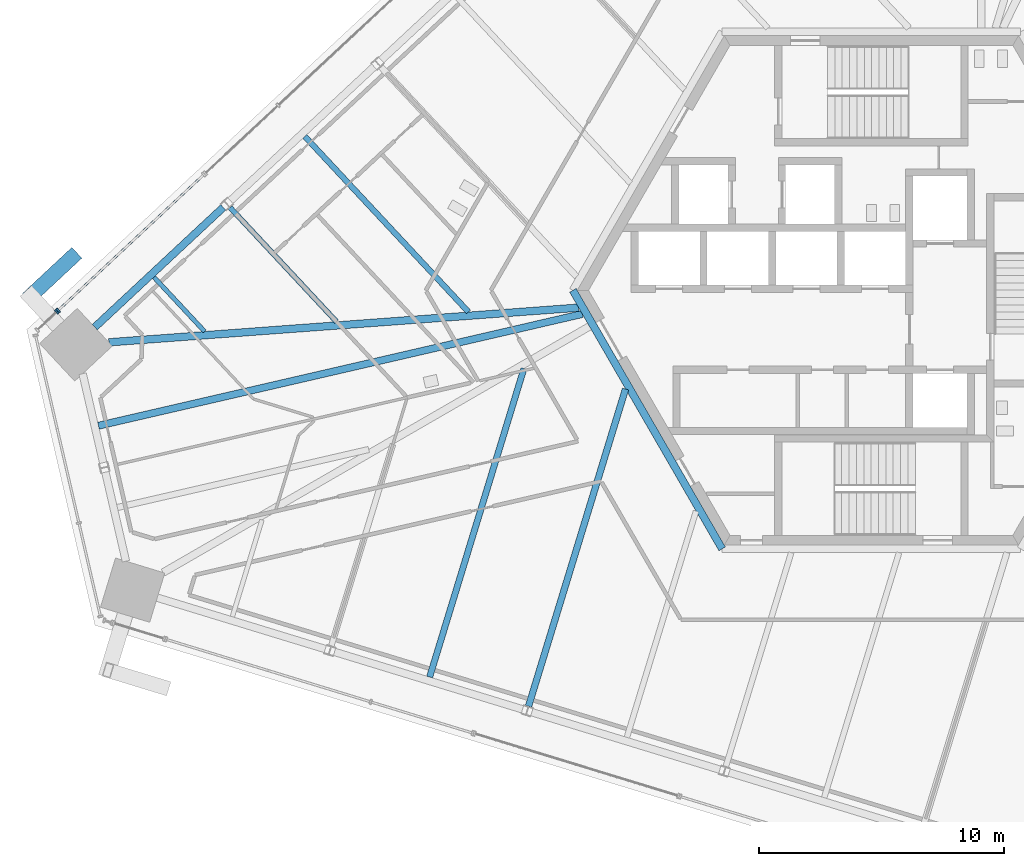
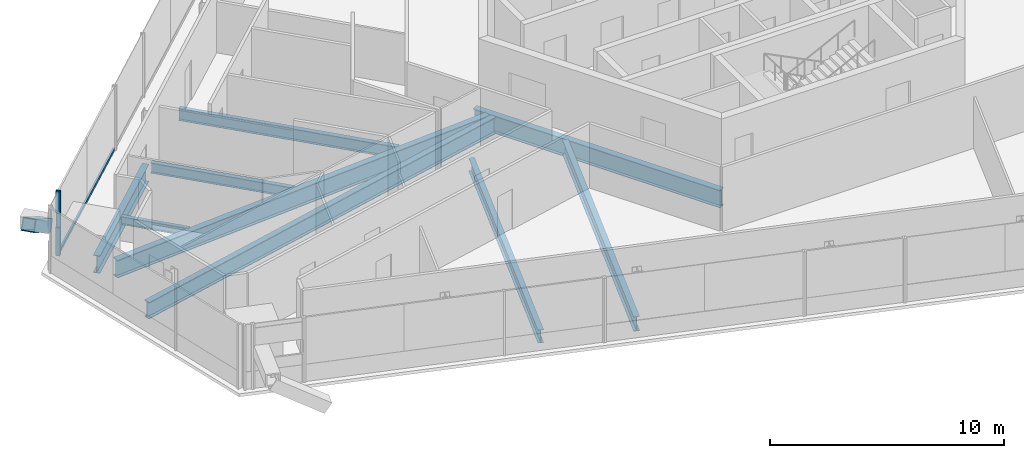
# One storey, part 5 of 25: 9 beams, 5 members, 3 elements without a shape of their own.
"""IFC4 building model written with IfcOpenShell, lengths in metres."""

from ifc_helpers import new_model, si_unit, direction, frame, origin, origin_2d, place, context, subcontext, project, spatial, rectangle, hollow_rectangle, i_section, extrude, source, transform, mapped, material, material_profile, profile_set, type_object, element, aggregate, save


model = new_model("IFC4")

# Units and contexts
model_context = context("Model", 3, precision=1e-05, world=origin(), true_north=direction((0.0, 1.0)))
body_context = subcontext(model_context, "Body", "Model", "MODEL_VIEW")
ifc_project = project(units=[si_unit("LENGTHUNIT", "METRE"), si_unit("AREAUNIT", "SQUARE_METRE"), si_unit("VOLUMEUNIT", "CUBIC_METRE"), si_unit("PLANEANGLEUNIT", "RADIAN"), si_unit("MASSUNIT", "GRAM", prefix="KILO")], contexts=[model_context])

# Site, building, storey
site_placement = place(None, origin())
site = spatial("IfcSite", under=ifc_project, at=site_placement, CompositionType="ELEMENT")
building_placement = place(site_placement, origin())
building = spatial("IfcBuilding", under=site, at=building_placement, Name="Triune Harvest Tower", CompositionType="ELEMENT")
storey_placement = place(building_placement, frame((0.0, 0.0, 130.699951171875)))
storey = spatial("IfcBuildingStorey", under=building, at=storey_placement, Name="L33", CompositionType="ELEMENT", Elevation=130.699951171875)

# Curtain wall, member
ifc_material_1 = material(Name="Aluminium bronze anodised", Category="aluminium")
curtain_wall_type_1 = type_object("IfcCurtainWallType", Name="CW-10 Balcony window wall with insulated spandrel infill", PredefinedType="NOTDEFINED", material=ifc_material_1)
curtain_wall_1_placement = place(storey_placement, origin())
curtain_wall_1 = element("IfcCurtainWall", 1, at=curtain_wall_1_placement, inside=storey, type_object=curtain_wall_type_1, Name="CW-10 B3-F3 L33 run 1002")
ifc_material_2 = material(Name="Aluminium bronze anodised", Category="aluminium")
ifc_material_profile_1 = material_profile(ifc_material_2, rectangle(XDim=0.090087890625, YDim=0.14990234375, at=origin_2d()), Name="TR-6 transom 90 x 150")
ifc_profile_set_1 = profile_set([ifc_material_profile_1], Name="Aluminium bronze anodised")
member_type_1 = type_object("IfcMemberType", Name="TR-6 transom 90 x 150", PredefinedType="USERDEFINED", material=ifc_profile_set_1)
member_1_placement = place(storey_placement, frame((-27.2568359375, 4.69677734375, 0.074951171875), z_axis=(-0.731356671706, -0.681995175021, 0.0), x_axis=(0.681995175021, -0.731356671706, 0.0)))
member_1 = element("IfcMember", 2, at=member_1_placement, type_object=member_type_1, Name="CW-10 transom B3-F3 1002.1", ObjectType="TRANSOM", PredefinedType="USERDEFINED", context=body_context, shape_type="SweptSolid", body=[
    extrude(rectangle(XDim=0.090087890625, YDim=0.14990234375, at=origin_2d()), origin(), (0.0, 0.0, 1.0), 8.052001953125),
])

# Beams
ifc_material_3 = material(Name="Steel ASTM A992 Gr 50", Category="steel")
ifc_material_profile_2 = material_profile(ifc_material_3, i_section(OverallWidth=0.3046875, OverallDepth=0.914306640625, WebThickness=0.0166015625, FlangeThickness=0.02587890625, at=origin_2d()), Name="W36x160")
ifc_profile_set_2 = profile_set([ifc_material_profile_2], Name="Steel ASTM A992 Gr 50")
beam_type_1 = type_object("IfcBeamType", Name="CG-1 Core ring girder W36x160", PredefinedType="BEAM", material=ifc_profile_set_2)
shared_shape_1 = source(origin(), body_context, "Body", "SweptSolid", [
    extrude(i_section(OverallWidth=0.3046875, OverallDepth=0.914306640625, WebThickness=0.0166015625, FlangeThickness=0.02587890625, at=origin_2d()), origin(), (0.0, 0.0, 1.0), 12.176025390625),
])
beam_1_placement = place(storey_placement, frame((-12.176025390625, 0.0, -0.6171875), z_axis=(0.5000099932, -0.866019634131, 0.0), x_axis=(0.866019634131, 0.5000099932, 0.0)))
element("IfcBeam", 3, at=beam_1_placement, inside=storey, type_object=beam_type_1, Name="beam/L33/CG4", PredefinedType="BEAM", context=body_context, shape_type="MappedRepresentation", body=[
    mapped(shared_shape_1, transform((0.0, 0.0, 0.0), scale=1.0)),
])
ifc_material_4 = material(Name="Steel ASTM A992 Gr 50", Category="steel")
ifc_material_profile_3 = material_profile(ifc_material_4, i_section(OverallWidth=0.3046875, OverallDepth=0.914306640625, WebThickness=0.0166015625, FlangeThickness=0.02587890625, at=origin_2d()), Name="W36x160")
ifc_profile_set_3 = profile_set([ifc_material_profile_3], Name="Steel ASTM A992 Gr 50")
beam_type_2 = type_object("IfcBeamType", Name="SB-1 Spandrel beam W36x160", PredefinedType="SPANDREL", material=ifc_profile_set_3)
shared_shape_2 = source(origin(), body_context, "Body", "SweptSolid", [
    extrude(i_section(OverallWidth=0.3046875, OverallDepth=0.914306640625, WebThickness=0.0166015625, FlangeThickness=0.02587890625, at=origin_2d()), origin(), (0.0, 0.0, 1.0), 7.16650390625),
])
beam_2_placement = place(storey_placement, frame((-26.4375, 3.384521484375, -0.6171875), z_axis=(-0.731357675554, -0.681994098515, 0.0), x_axis=(0.681994098515, -0.731357675554, 0.0)))
element("IfcBeam", 4, at=beam_2_placement, inside=storey, type_object=beam_type_2, Name="beam/L33/SB14", PredefinedType="SPANDREL", context=body_context, shape_type="MappedRepresentation", body=[
    mapped(shared_shape_2, transform((0.0, 0.0, 0.0), scale=1.0)),
])
ifc_material_5 = material(Name="Steel ASTM A992 Gr 50", Category="steel")
ifc_material_profile_4 = material_profile(ifc_material_5, i_section(OverallWidth=0.307373046875, OverallDepth=0.922119140625, WebThickness=0.018310546875, FlangeThickness=0.030029296875, at=origin_2d()), Name="W36x182")
ifc_profile_set_4 = profile_set([ifc_material_profile_4], Name="Steel ASTM A992 Gr 50")
beam_type_3 = type_object("IfcBeamType", Name="HG-2 Hip girder W36x182", PredefinedType="BEAM", material=ifc_profile_set_4)
shared_shape_3 = source(origin(), body_context, "Body", "SweptSolid", [
    extrude(i_section(OverallWidth=0.307373046875, OverallDepth=0.922119140625, WebThickness=0.018310546875, FlangeThickness=0.030029296875, at=origin_2d()), origin(), (0.0, 0.0, 1.0), 19.2109375),
])
beam_3_placement = place(storey_placement, frame((-31.103515625, -2.119873046875, -0.620849609375), z_axis=(0.997285410262, 0.07363294425, 0.0), x_axis=(-0.07363294425, 0.997285410262, 0.0)))
element("IfcBeam", 5, at=beam_3_placement, inside=storey, type_object=beam_type_3, Name="beam/L33/HG5", PredefinedType="BEAM", context=body_context, shape_type="MappedRepresentation", body=[
    mapped(shared_shape_3, transform((0.0, 0.0, 0.0), scale=1.0)),
])
ifc_material_6 = material(Name="Steel ASTM A992 Gr 50", Category="steel")
ifc_material_profile_5 = material_profile(ifc_material_6, i_section(OverallWidth=0.22900390625, OverallDepth=0.612060546875, WebThickness=0.011962890625, FlangeThickness=0.01953125, at=origin_2d()), Name="W24x84")
ifc_profile_set_5 = profile_set([ifc_material_profile_5], Name="Steel ASTM A992 Gr 50")
beam_type_4 = type_object("IfcBeamType", Name="JT-3 Floor joist W24x84", PredefinedType="JOIST", material=ifc_profile_set_5)
shared_shape_4 = source(origin(), body_context, "Body", "SweptSolid", [
    extrude(i_section(OverallWidth=0.22900390625, OverallDepth=0.612060546875, WebThickness=0.011962890625, FlangeThickness=0.01953125, at=origin_2d()), origin(), (0.0, 0.0, 1.0), 9.790283203125),
])
beam_4_placement = place(storey_placement, frame((-23.11181640625, 6.27734375, -0.466064453125), z_axis=(0.682000995077, -0.731351244419, 0.0), x_axis=(0.731351244419, 0.682000995077, 0.0)))
element("IfcBeam", 6, at=beam_4_placement, inside=storey, type_object=beam_type_4, Name="beam/L33/JT22", PredefinedType="JOIST", context=body_context, shape_type="MappedRepresentation", body=[
    mapped(shared_shape_4, transform((0.0, 0.0, 0.0), scale=1.0)),
])
ifc_material_7 = material(Name="Steel ASTM A992 Gr 50", Category="steel")
ifc_material_profile_6 = material_profile(ifc_material_7, i_section(OverallWidth=0.180908203125, OverallDepth=0.41650390625, WebThickness=0.010986328125, FlangeThickness=0.01806640625, at=origin_2d()), Name="W16x57")
ifc_profile_set_6 = profile_set([ifc_material_profile_6], Name="Steel ASTM A992 Gr 50")
beam_type_5 = type_object("IfcBeamType", Name="JT-1 Floor joist W16x57", PredefinedType="JOIST", material=ifc_profile_set_6)
shared_shape_5 = source(origin(), body_context, "Body", "SweptSolid", [
    extrude(i_section(OverallWidth=0.180908203125, OverallDepth=0.41650390625, WebThickness=0.010986328125, FlangeThickness=0.01806640625, at=origin_2d()), origin(), (0.0, 0.0, 1.0), 3.0302734375),
])
beam_5_placement = place(storey_placement, frame((-29.265625, 0.538818359375, -0.3681640625), z_axis=(0.681982331581, -0.731368648091, 0.0), x_axis=(0.731368648091, 0.681982331581, 0.0)))
element("IfcBeam", 7, at=beam_5_placement, inside=storey, type_object=beam_type_5, Name="beam/L33/JT24", PredefinedType="JOIST", context=body_context, shape_type="MappedRepresentation", body=[
    mapped(shared_shape_5, transform((0.0, 0.0, 0.0), scale=1.0)),
])
ifc_material_8 = material(Name="Steel ASTM A992 Gr 50", Category="steel")
ifc_material_profile_7 = material_profile(ifc_material_8, i_section(OverallWidth=0.253662109375, OverallDepth=0.683349609375, WebThickness=0.012451171875, FlangeThickness=0.01904296875, at=origin_2d()), Name="W27x94")
ifc_profile_set_7 = profile_set([ifc_material_profile_7], Name="Steel ASTM A992 Gr 50")
beam_type_6 = type_object("IfcBeamType", Name="JT-4 Floor joist W27x94", PredefinedType="JOIST", material=ifc_profile_set_7)
shared_shape_6 = source(origin(), body_context, "Body", "SweptSolid", [
    extrude(i_section(OverallWidth=0.253662109375, OverallDepth=0.683349609375, WebThickness=0.012451171875, FlangeThickness=0.01904296875, at=origin_2d()), origin(), (0.0, 0.0, 1.0), 13.157470703125),
])
beam_6_placement = place(storey_placement, frame((-18.02099609375, -15.773681640625, -0.50146484375), z_axis=(0.292375983311, 0.956303447857, 0.0), x_axis=(-0.956303447857, 0.292375983311, 0.0)))
element("IfcBeam", 8, at=beam_6_placement, inside=storey, type_object=beam_type_6, Name="beam/L33/JT29", PredefinedType="JOIST", context=body_context, shape_type="MappedRepresentation", body=[
    mapped(shared_shape_6, transform((0.0, 0.0, 0.0), scale=1.0)),
])
ifc_material_9 = material(Name="Steel ASTM A992 Gr 50", Category="steel")
ifc_material_profile_8 = material_profile(ifc_material_9, i_section(OverallWidth=0.2099609375, OverallDepth=0.535888671875, WebThickness=0.010986328125, FlangeThickness=0.017333984375, at=origin_2d()), Name="W21x68")
ifc_profile_set_8 = profile_set([ifc_material_profile_8], Name="Steel ASTM A992 Gr 50")
beam_type_7 = type_object("IfcBeamType", Name="JT-2 Floor joist W21x68", PredefinedType="JOIST", material=ifc_profile_set_8)
shared_shape_7 = source(origin(), body_context, "Body", "SweptSolid", [
    extrude(i_section(OverallWidth=0.2099609375, OverallDepth=0.535888671875, WebThickness=0.010986328125, FlangeThickness=0.017333984375, at=origin_2d()), origin(), (0.0, 0.0, 1.0), 6.3720703125),
])
beam_7_placement = place(storey_placement, frame((-26.16259765625, 3.380126953125, -0.427978515625), z_axis=(0.682001475832, -0.731350796105, 0.0), x_axis=(0.731350796105, 0.682001475832, 0.0)))
element("IfcBeam", 9, at=beam_7_placement, inside=storey, type_object=beam_type_7, Name="beam/L33/JT23", PredefinedType="JOIST", context=body_context, shape_type="MappedRepresentation", body=[
    mapped(shared_shape_7, transform((0.0, 0.0, 0.0), scale=1.0)),
])
ifc_material_10 = material(Name="Steel ASTM A992 Gr 50", Category="steel")
ifc_material_profile_9 = material_profile(ifc_material_10, i_section(OverallWidth=0.2919921875, OverallDepth=0.8583984375, WebThickness=0.01708984375, FlangeThickness=0.031005859375, at=origin_2d()), Name="W33x169")
ifc_profile_set_9 = profile_set([ifc_material_profile_9], Name="Steel ASTM A992 Gr 50")
beam_type_8 = type_object("IfcBeamType", Name="JT-7 Floor joist W33x169", PredefinedType="JOIST", material=ifc_profile_set_9)
shared_shape_8 = source(origin(), body_context, "Body", "SweptSolid", [
    extrude(i_section(OverallWidth=0.2919921875, OverallDepth=0.8583984375, WebThickness=0.01708984375, FlangeThickness=0.031005859375, at=origin_2d()), origin(), (0.0, 0.0, 1.0), 20.25244140625),
])
beam_8_placement = place(storey_placement, frame((-31.52783203125, -5.521484375, -0.58935546875), z_axis=(0.974371687507, 0.224944025448, 0.0), x_axis=(-0.224944025448, 0.974371687507, 0.0)))
element("IfcBeam", 10, at=beam_8_placement, inside=storey, type_object=beam_type_8, Name="beam/L33/JT25", PredefinedType="JOIST", context=body_context, shape_type="MappedRepresentation", body=[
    mapped(shared_shape_8, transform((0.0, 0.0, 0.0), scale=1.0)),
])
ifc_material_11 = material(Name="Steel ASTM A992 Gr 50", Category="steel")
ifc_material_profile_10 = material_profile(ifc_material_11, i_section(OverallWidth=0.2666015625, OverallDepth=0.7568359375, WebThickness=0.013916015625, FlangeThickness=0.019287109375, at=origin_2d()), Name="W30x108")
ifc_profile_set_10 = profile_set([ifc_material_profile_10], Name="Steel ASTM A992 Gr 50")
beam_type_9 = type_object("IfcBeamType", Name="JT-5 Floor joist W30x108", PredefinedType="JOIST", material=ifc_profile_set_10)
shared_shape_9 = source(origin(), body_context, "Body", "SweptSolid", [
    extrude(i_section(OverallWidth=0.2666015625, OverallDepth=0.7568359375, WebThickness=0.013916015625, FlangeThickness=0.019287109375, at=origin_2d()), origin(), (0.0, 0.0, 1.0), 13.53515625),
])
beam_9_placement = place(storey_placement, frame((-13.986328125, -16.96728515625, -0.538330078125), z_axis=(0.292367922799, 0.956305912205, 0.0), x_axis=(-0.956305912205, 0.292367922799, 0.0)))
element("IfcBeam", 11, at=beam_9_placement, inside=storey, type_object=beam_type_9, Name="beam/L33/JT30", PredefinedType="JOIST", context=body_context, shape_type="MappedRepresentation", body=[
    mapped(shared_shape_9, transform((0.0, 0.0, 0.0), scale=1.0)),
])

# Member
ifc_material_12 = material(Name="Steel ASTM A572 Gr 50", Category="steel")
ifc_material_profile_11 = material_profile(ifc_material_12, hollow_rectangle(XDim=0.60009765625, YDim=0.60009765625, WallThickness=0.0400390625, at=origin_2d()), Name="Box 600x600x40")
ifc_profile_set_11 = profile_set([ifc_material_profile_11], Name="Steel ASTM A572 Gr 50")
member_type_2 = type_object("IfcMemberType", Name="BR-2 Brace Box 600x600x40", PredefinedType="BRACE", material=ifc_profile_set_11)
shared_shape_10 = source(origin(), body_context, "Body", "SweptSolid", [
    extrude(hollow_rectangle(XDim=0.60009765625, YDim=0.60009765625, WallThickness=0.0400390625, at=origin_2d()), origin(), (0.0, 0.0, 1.0), 2.893310546875),
])
member_2_placement = place(storey_placement, frame((-32.531005859375, 1.41943359375, 0.0), z_axis=(-0.611656814693, -0.57031154787, 0.54828886493), x_axis=(0.681955084924, -0.731394053945, 0.0)))
element("IfcMember", 12, at=member_2_placement, inside=storey, type_object=member_type_2, Name="brace/B3-F3/d1/10", PredefinedType="BRACE", context=body_context, shape_type="MappedRepresentation", body=[
    mapped(shared_shape_10, transform((0.0, 0.0, 0.0), scale=1.0)),
])

# Curtain wall, member
curtain_wall_2_placement = place(storey_placement, origin())
curtain_wall_2 = element("IfcCurtainWall", 13, at=curtain_wall_2_placement, inside=storey, type_object=curtain_wall_type_1, Name="CW-10 B3-F3 L33 run 102")
ifc_material_13 = material(Name="Aluminium bronze anodised", Category="aluminium")
ifc_material_profile_12 = material_profile(ifc_material_13, rectangle(XDim=0.199951171875, YDim=0.074951171875, at=origin_2d()), Name="MU-6 mullion 75 x 200")
ifc_profile_set_12 = profile_set([ifc_material_profile_12], Name="Aluminium bronze anodised")
member_type_3 = type_object("IfcMemberType", Name="MU-6 mullion 75 x 200", PredefinedType="MULLION", material=ifc_profile_set_12)
shared_shape_11 = source(origin(), body_context, "Body", "SweptSolid", [
    extrude(rectangle(XDim=0.199951171875, YDim=0.074951171875, at=origin_2d()), origin(), (0.0, 0.0, 1.0), 1.465087890625),
])
member_3_placement = place(storey_placement, frame((-33.22802734375, -0.87158203125, 0.0), z_axis=(0.0, 0.0, 1.0), x_axis=(0.681968492791, -0.73138155216, 0.0)))
member_3 = element("IfcMember", 14, at=member_3_placement, type_object=member_type_3, Name="CW-10 mullion B3-F3 102.1", PredefinedType="MULLION", context=body_context, shape_type="MappedRepresentation", body=[
    mapped(shared_shape_11, transform((0.0, 0.0, 0.0), scale=1.0)),
])
aggregate(curtain_wall_2, [member_3])

ifc_material_14 = material(Name="Aluminium bronze anodised", Category="aluminium")
curtain_wall_type_2 = type_object("IfcCurtainWallType", Name="CW-6 Balcony window wall", PredefinedType="NOTDEFINED", material=ifc_material_14)
curtain_wall_3_placement = place(storey_placement, origin())
curtain_wall_3 = element("IfcCurtainWall", 15, at=curtain_wall_3_placement, inside=storey, type_object=curtain_wall_type_2, Name="CW-6 B3-F3 L33 run 202")
shared_shape_12 = source(origin(), body_context, "Body", "SweptSolid", [
    extrude(rectangle(XDim=0.199951171875, YDim=0.074951171875, at=origin_2d()), origin(), (0.0, 0.0, 1.0), 1.114990234375),
])
member_4_placement = place(storey_placement, frame((-33.22802734375, -0.87158203125, 2.235107421875), z_axis=(0.0, 0.0, 1.0), x_axis=(0.681968492791, -0.73138155216, 0.0)))
member_4 = element("IfcMember", 16, at=member_4_placement, type_object=member_type_3, Name="CW-6 mullion B3-F3 202.1", PredefinedType="MULLION", context=body_context, shape_type="MappedRepresentation", body=[
    mapped(shared_shape_12, transform((0.0, 0.0, 0.0), scale=1.0)),
])
aggregate(curtain_wall_3, [member_4])

# Member
shared_shape_13 = source(origin(), body_context, "Body", "SweptSolid", [
    extrude(rectangle(XDim=0.199951171875, YDim=0.074951171875, at=origin_2d()), origin(), (0.0, 0.0, 1.0), 3.35009765625),
])
member_5_placement = place(storey_placement, frame((-33.17333984375, -0.8203125, 0.0), z_axis=(0.0, 0.0, 1.0), x_axis=(0.681999338527, -0.731352789185, 0.0)))
member_5 = element("IfcMember", 17, at=member_5_placement, type_object=member_type_3, Name="CW-10 mullion B3-F3 1002.3", PredefinedType="MULLION", context=body_context, shape_type="MappedRepresentation", body=[
    mapped(shared_shape_13, transform((0.0, 0.0, 0.0), scale=1.0)),
])

aggregate(curtain_wall_1, [member_5, member_1])

save(model, "model.ifc")
